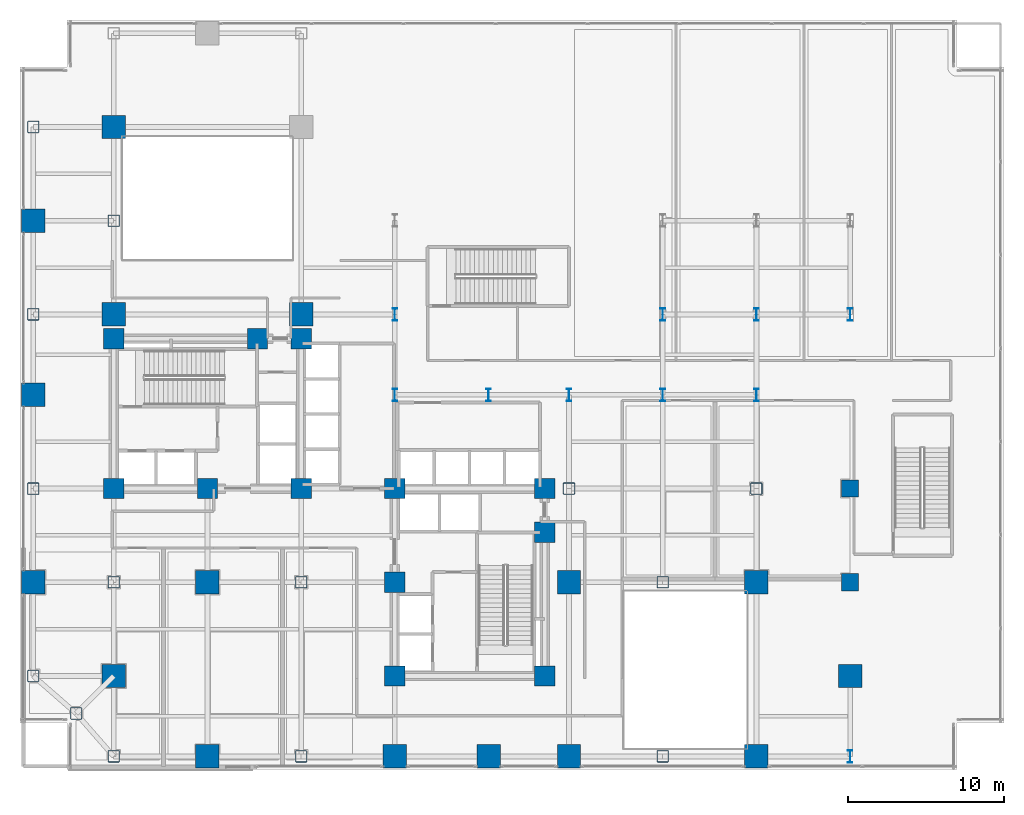
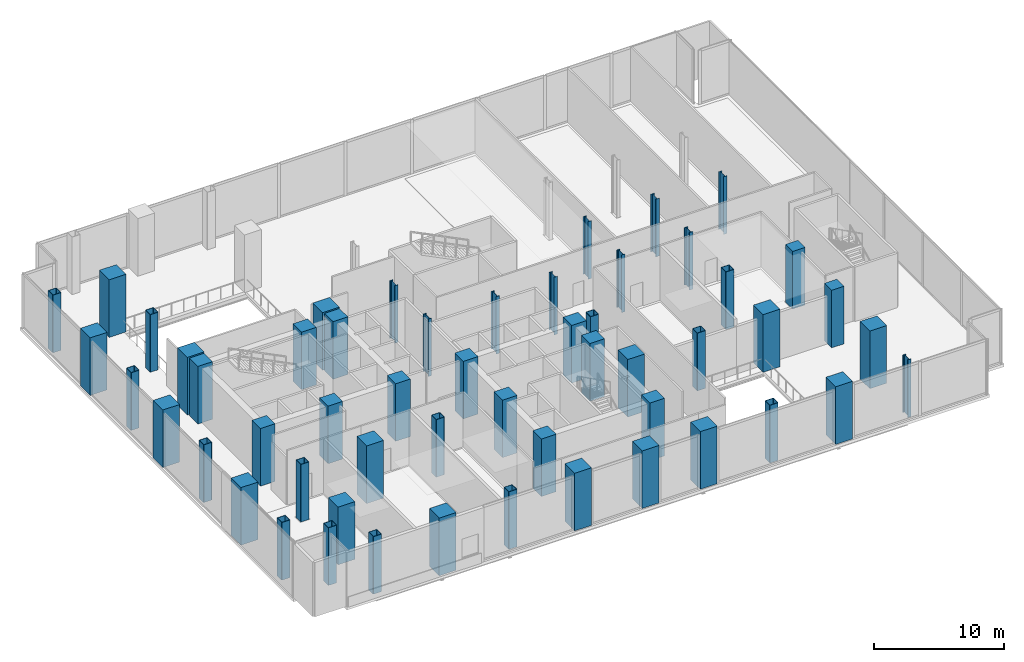
# One storey, part 1 of 28: 54 columns.
"""IFC4 building model written with IfcOpenShell, lengths in metres."""

from ifc_helpers import new_model, si_unit, direction, frame, origin, origin_2d, place, context, subcontext, project, spatial, rectangle, hollow_rectangle, i_section, extrude, material, material_profile, profile_set, type_object, element, save


model = new_model("IFC4")

# Units and contexts
model_context = context("Model", 3, precision=1e-05, world=origin(), true_north=direction((0.0, 1.0)))
body_context = subcontext(model_context, "Body", "Model", "MODEL_VIEW")
ifc_project = project(units=[si_unit("LENGTHUNIT", "METRE"), si_unit("AREAUNIT", "SQUARE_METRE"), si_unit("VOLUMEUNIT", "CUBIC_METRE"), si_unit("PLANEANGLEUNIT", "RADIAN"), si_unit("MASSUNIT", "GRAM", prefix="KILO"), si_unit("THERMODYNAMICTEMPERATUREUNIT", "KELVIN"), si_unit("POWERUNIT", "WATT")], contexts=[model_context])

# Site, building, storey
site_placement = place(None, origin())
site = spatial("IfcSite", under=ifc_project, at=site_placement, CompositionType="ELEMENT")
building_placement = place(site_placement, origin())
building = spatial("IfcBuilding", under=site, at=building_placement, Name="Svarakhadi Broadcast Tower", CompositionType="ELEMENT")
storey_placement = place(building_placement, frame((0.0, 0.0, 11.10009765625)))
storey = spatial("IfcBuildingStorey", under=building, at=storey_placement, Name="L02", CompositionType="ELEMENT", Elevation=11.10009765625)

# Columns
ifc_material_1 = material(Name="Steel S460ML (IS 2062 E450BR)", Category="steel")
ifc_material_profile_1 = material_profile(ifc_material_1, hollow_rectangle(XDim=0.75, YDim=0.75, WallThickness=0.034912109375, InnerFilletRadius=0.034912109375, OuterFilletRadius=0.050048828125, at=origin_2d()), Name="BOX 750x750x35")
ifc_profile_set_1 = profile_set([ifc_material_profile_1], Name="Steel S460ML (IS 2062 E450BR)")
column_type_1 = type_object("IfcColumnType", Name="Col_BOX750", PredefinedType="COLUMN", material=ifc_profile_set_1)
for number, where, z_axis, x_axis, name in (
    (1, (3.60009765625, 3.60009765625, 0.0), (0.0, 0.0, 1.0), (1.0, 0.0, 0.0), "L02 Column G01"),
    (2, (0.85009765625, 6.0, 0.0), (0.0, 0.0, 1.0), (1.0, 0.0, 0.0), "L02 Column G03"),
    (3, (0.85009765625, 18.0, 0.0), (0.0, 0.0, 1.0), (1.0, 0.0, 0.0), "L02 Column G05"),
    (4, (0.85009765625, 29.14990234375, 0.0), (0.0, 0.0, 1.0), (1.0, 0.0, 0.0), "L02 Column G07"),
    (5, (0.85009765625, 41.14990234375, 0.0), (0.0, 0.0, 1.0), (1.0, 0.0, 0.0), "L02 Column G09"),
    (6, (6.0, 0.85009765625, 0.0), (0.0, 0.0, 1.0), (1.0, 0.0, 0.0), "L02 Column G11"),
    (7, (6.0, 12.0, 0.0), (0.0, 0.0, 1.0), (1.0, 0.0, 0.0), "L02 Column G13"),
    (8, (6.0, 35.14990234375, 0.0), (0.0, 0.0, 1.0), (1.0, 0.0, 0.0), "L02 Column G15"),
    (9, (18.0, 0.85009765625, 0.0), (0.0, 0.0, 1.0), (1.0, 0.0, 0.0), "L02 Column G25"),
    (10, (18.0, 12.0, 0.0), (0.0, 0.0, 1.0), (1.0, 0.0, 0.0), "L02 Column G27"),
    (11, (35.14990234375, 18.0, 0.0), (0.0, 0.0, 1.0), (1.0, 0.0, 0.0), "L02 Column G41"),
    (12, (41.14990234375, 0.85009765625, 0.0), (0.0, 0.0, 1.0), (1.0, 0.0, 0.0), "L02 Column G43"),
    (13, (41.14990234375, 12.0, 0.0), (0.0, 0.0, 1.0), (1.0, 0.0, 0.0), "L02 Column G45"),
    (14, (47.14990234375, 18.0, 0.0), (0.0, 0.0, 1.0), (1.0, 0.0, 0.0), "L02 Column G53"),
):
    element("IfcColumn", number, at=place(storey_placement, frame(where, z_axis=z_axis, x_axis=x_axis)), inside=storey, type_object=column_type_1, Name=name, PredefinedType="COLUMN", context=body_context, shape_type="SweptSolid", body=[
        extrude(hollow_rectangle(XDim=0.75, YDim=0.75, WallThickness=0.034912109375, InnerFilletRadius=0.034912109375, OuterFilletRadius=0.050048828125, at=origin_2d()), origin(), (0.0, 0.0, 1.0), 5.39990234375),
    ])
ifc_material_2 = material(Name="Concrete C50/60 (IS 456 M60)", Category="concrete")
ifc_material_profile_2 = material_profile(ifc_material_2, rectangle(XDim=1.10009765625, YDim=1.10009765625, at=origin_2d()), Name="RC 1100x1100")
ifc_profile_set_2 = profile_set([ifc_material_profile_2], Name="Concrete C50/60 (IS 456 M60)")
column_type_2 = type_object("IfcColumnType", Name="Col_RC1100", PredefinedType="COLUMN", material=ifc_profile_set_2)
for number, where, z_axis, x_axis, name in (
    (15, (53.14990234375, 12.0, 0.0), (0.0, 0.0, 1.0), (1.0, 0.0, 0.0), "L02 Zone-1 East Stack Column ZT02"),
    (16, (53.14990234375, 18.0, 0.0), (0.0, 0.0, 1.0), (1.0, 0.0, 0.0), "L02 Zone-1 East Stack Column ZT03"),
):
    element("IfcColumn", number, at=place(storey_placement, frame(where, z_axis=z_axis, x_axis=x_axis)), inside=storey, type_object=column_type_2, Name=name, PredefinedType="COLUMN", context=body_context, shape_type="SweptSolid", body=[
        extrude(rectangle(XDim=1.10009765625, YDim=1.10009765625, at=origin_2d()), origin(), (0.0, 0.0, 1.0), 5.39990234375),
    ])
ifc_material_3 = material(Name="Concrete C60/75 (IS 456 M70)", Category="concrete")
ifc_material_profile_3 = material_profile(ifc_material_3, rectangle(XDim=1.300048828125, YDim=1.300048828125, at=origin_2d()), Name="RC 1300x1300")
ifc_profile_set_3 = profile_set([ifc_material_profile_3], Name="Concrete C60/75 (IS 456 M70)")
column_type_3 = type_object("IfcColumnType", Name="Col_RC1300", PredefinedType="COLUMN", material=ifc_profile_set_3)
for number, where, z_axis, x_axis, name in (
    (17, (6.0, 18.0, 0.0), (0.0, 0.0, 1.0), (1.0, 0.0, 0.0), "L02 Column CW1"),
    (18, (12.0, 18.0, 0.0), (0.0, 0.0, 1.0), (1.0, 0.0, 0.0), "L02 Column CW2"),
    (19, (18.0, 18.0, 0.0), (0.0, 0.0, 1.0), (1.0, 0.0, 0.0), "L02 Column CW3"),
    (20, (6.0, 27.60009765625, 0.0), (0.0, 0.0, 1.0), (1.0, 0.0, 0.0), "L02 Column CW4"),
    (21, (15.199951171875, 27.60009765625, 0.0), (0.0, 0.0, 1.0), (1.0, 0.0, 0.0), "L02 Column CW5"),
    (22, (18.0, 27.60009765625, 0.0), (0.0, 0.0, 1.0), (1.0, 0.0, 0.0), "L02 Column CW6"),
    (23, (24.0, 6.0, 0.0), (0.0, 0.0, 1.0), (1.0, 0.0, 0.0), "L02 Column CE1"),
    (24, (24.0, 12.0, 0.0), (0.0, 0.0, 1.0), (1.0, 0.0, 0.0), "L02 Column CE2"),
    (25, (24.0, 18.0, 0.0), (0.0, 0.0, 1.0), (1.0, 0.0, 0.0), "L02 Column CE3"),
    (26, (33.60009765625, 6.0, 0.0), (0.0, 0.0, 1.0), (1.0, 0.0, 0.0), "L02 Column CE4"),
    (27, (33.60009765625, 15.199951171875, 0.0), (0.0, 0.0, 1.0), (1.0, 0.0, 0.0), "L02 Column CE5"),
    (28, (33.60009765625, 18.0, 0.0), (0.0, 0.0, 1.0), (1.0, 0.0, 0.0), "L02 Column CE6"),
):
    element("IfcColumn", number, at=place(storey_placement, frame(where, z_axis=z_axis, x_axis=x_axis)), inside=storey, type_object=column_type_3, Name=name, PredefinedType="COLUMN", context=body_context, shape_type="SweptSolid", body=[
        extrude(rectangle(XDim=1.300048828125, YDim=1.300048828125, at=origin_2d()), origin(), (0.0, 0.0, 1.0), 5.39990234375),
    ])
ifc_material_profile_4 = material_profile(ifc_material_3, rectangle(XDim=1.5, YDim=1.5, at=origin_2d()), Name="RC 1500x1500")
ifc_profile_set_4 = profile_set([ifc_material_profile_4], Name="Concrete C60/75 (IS 456 M70)")
column_type_4 = type_object("IfcColumnType", Name="Col_RC1500", PredefinedType="COLUMN", material=ifc_profile_set_4)
for number, where, z_axis, x_axis, name in (
    (29, (0.85009765625, 12.0, 0.0), (0.0, 0.0, 1.0), (1.0, 0.0, 0.0), "L02 Column G04"),
    (30, (0.85009765625, 24.0, 0.0), (0.0, 0.0, 1.0), (1.0, 0.0, 0.0), "L02 Column G06"),
    (31, (0.85009765625, 35.14990234375, 0.0), (0.0, 0.0, 1.0), (1.0, 0.0, 0.0), "L02 Column G08"),
    (32, (6.0, 6.0, 0.0), (0.0, 0.0, 1.0), (1.0, 0.0, 0.0), "L02 Column G12"),
    (33, (6.0, 29.14990234375, 0.0), (0.0, 0.0, 1.0), (1.0, 0.0, 0.0), "L02 Column G14"),
    (34, (6.0, 41.14990234375, 0.0), (0.0, 0.0, 1.0), (1.0, 0.0, 0.0), "L02 Column G16"),
    (35, (12.0, 0.85009765625, 0.0), (0.0, 0.0, 1.0), (1.0, 0.0, 0.0), "L02 Column G18"),
    (36, (12.0, 12.0, 0.0), (0.0, 0.0, 1.0), (1.0, 0.0, 0.0), "L02 Column G20"),
    (37, (18.0, 29.14990234375, 0.0), (0.0, 0.0, 1.0), (1.0, 0.0, 0.0), "L02 Column G28"),
    (38, (24.0, 0.85009765625, 0.0), (0.0, 0.0, 1.0), (1.0, 0.0, 0.0), "L02 Column G32"),
    (39, (30.0, 0.85009765625, 0.0), (0.0, 0.0, 1.0), (1.0, 0.0, 0.0), "L02 Column G36"),
    (40, (35.14990234375, 0.85009765625, 0.0), (0.0, 0.0, 1.0), (1.0, 0.0, 0.0), "L02 Column G38"),
    (41, (35.14990234375, 12.0, 0.0), (0.0, 0.0, 1.0), (1.0, 0.0, 0.0), "L02 Column G40"),
    (42, (47.14990234375, 0.85009765625, 0.0), (0.0, 0.0, 1.0), (1.0, 0.0, 0.0), "L02 Column G50"),
    (43, (47.14990234375, 12.0, 0.0), (0.0, 0.0, 1.0), (1.0, 0.0, 0.0), "L02 Column G52"),
    (44, (53.14990234375, 6.0, 0.0), (0.0, 0.0, 1.0), (1.0, 0.0, 0.0), "L02 Column G58"),
):
    element("IfcColumn", number, at=place(storey_placement, frame(where, z_axis=z_axis, x_axis=x_axis)), inside=storey, type_object=column_type_4, Name=name, PredefinedType="COLUMN", context=body_context, shape_type="SweptSolid", body=[
        extrude(rectangle(XDim=1.5, YDim=1.5, at=origin_2d()), origin(), (0.0, 0.0, 1.0), 5.39990234375),
    ])
ifc_material_profile_5 = material_profile(ifc_material_1, i_section(OverallWidth=0.300048828125, OverallDepth=0.800048828125, WebThickness=0.017578125, FlangeThickness=0.032958984375, FilletRadius=0.030029296875, at=origin_2d()), Name="WPB 800x300x262")
ifc_profile_set_5 = profile_set([ifc_material_profile_5], Name="Steel S460ML (IS 2062 E450BR)")
column_type_5 = type_object("IfcColumnType", Name="Col_WPB800", PredefinedType="COLUMN", material=ifc_profile_set_5)
for number, where, z_axis, x_axis, name in (
    (45, (24.0, 24.0, 0.0), (0.0, 0.0, 1.0), (1.0, 0.0, 0.0), "L02 Column G33"),
    (46, (24.0, 29.14990234375, 0.0), (0.0, 0.0, 1.0), (1.0, 0.0, 0.0), "L02 Column G34"),
    (47, (30.0, 24.0, 0.0), (0.0, 0.0, 1.0), (1.0, 0.0, 0.0), "L02 Column G37"),
    (48, (35.14990234375, 24.0, 0.0), (0.0, 0.0, 1.0), (1.0, 0.0, 0.0), "L02 Column G42"),
    (49, (41.14990234375, 24.0, 0.0), (0.0, 0.0, 1.0), (1.0, 0.0, 0.0), "L02 Column G47"),
    (50, (41.14990234375, 29.14990234375, 0.0), (0.0, 0.0, 1.0), (1.0, 0.0, 0.0), "L02 Column G48"),
    (51, (47.14990234375, 24.0, 0.0), (0.0, 0.0, 1.0), (1.0, 0.0, 0.0), "L02 Column G54"),
    (52, (47.14990234375, 29.14990234375, 0.0), (0.0, 0.0, 1.0), (1.0, 0.0, 0.0), "L02 Column G55"),
    (53, (53.14990234375, 0.85009765625, 0.0), (0.0, 0.0, 1.0), (1.0, 0.0, 0.0), "L02 Column G57"),
    (54, (53.14990234375, 29.14990234375, 0.0), (0.0, 0.0, 1.0), (1.0, 0.0, 0.0), "L02 Column G59"),
):
    element("IfcColumn", number, at=place(storey_placement, frame(where, z_axis=z_axis, x_axis=x_axis)), inside=storey, type_object=column_type_5, Name=name, PredefinedType="COLUMN", context=body_context, shape_type="SweptSolid", body=[
        extrude(i_section(OverallWidth=0.300048828125, OverallDepth=0.800048828125, WebThickness=0.017578125, FlangeThickness=0.032958984375, FilletRadius=0.030029296875, at=origin_2d()), origin(), (0.0, 0.0, 1.0), 5.39990234375),
    ])

save(model, "model.ifc")
